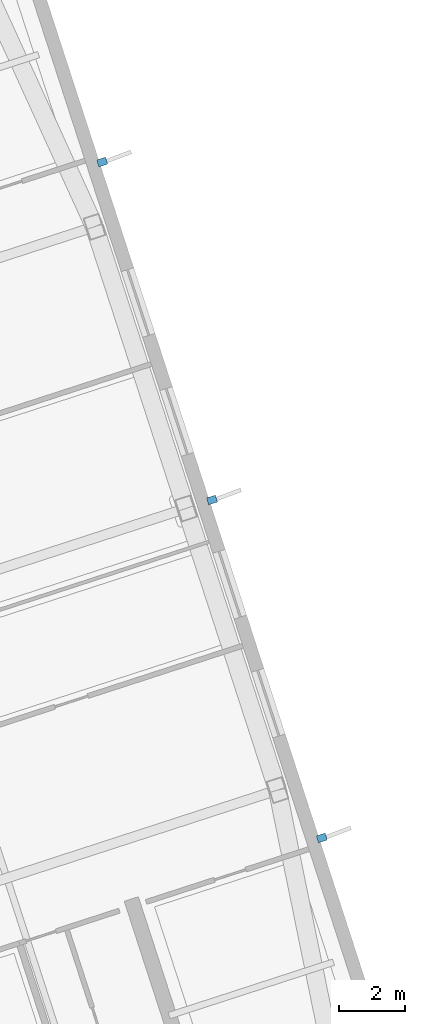
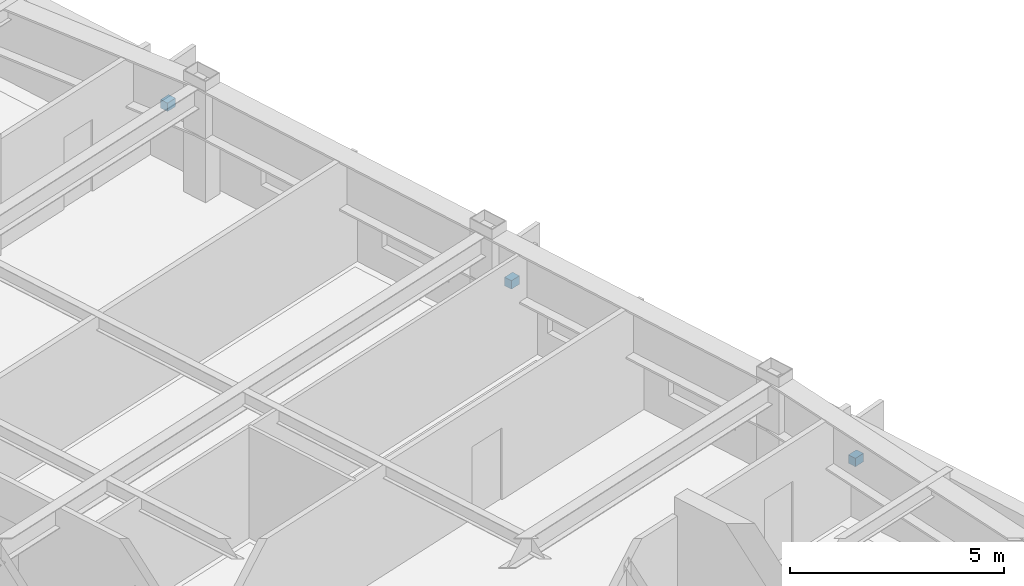
# One storey, part 13 of 19: 3 discrete accessories.
"""IFC4 building model written with IfcOpenShell, lengths in metres."""

from ifc_helpers import new_model, si_unit, direction, frame, origin, origin_2d, place, context, subcontext, project, spatial, rectangle, extrude, material, type_object, element, save


model = new_model("IFC4")

# Units and contexts
model_context = context("Model", 3, precision=1e-05, world=origin(), true_north=direction((0.0, 1.0)))
body_context = subcontext(model_context, "Body", "Model", "MODEL_VIEW")
ifc_project = project(units=[si_unit("LENGTHUNIT", "METRE"), si_unit("AREAUNIT", "SQUARE_METRE"), si_unit("VOLUMEUNIT", "CUBIC_METRE"), si_unit("PLANEANGLEUNIT", "RADIAN"), si_unit("MASSUNIT", "GRAM", prefix="KILO")], contexts=[model_context])

# Site, building, storey
site_placement = place(None, origin())
site = spatial("IfcSite", under=ifc_project, at=site_placement, CompositionType="ELEMENT")
building_placement = place(site_placement, origin())
building = spatial("IfcBuilding", under=site, at=building_placement, Name="Qiaolan Cultural Towers", CompositionType="ELEMENT")
storey_placement = place(building_placement, frame((0.0, 0.0, 216.199951171875)))
storey = spatial("IfcBuildingStorey", under=building, at=storey_placement, Name="L58", CompositionType="ELEMENT", Elevation=216.199951171875)

# Discrete accessories
ifc_material = material(Name="Stainless Steel S31608 Facade Anchor Bracket", Category="steel")
discrete_accessory_type = type_object("IfcDiscreteAccessoryType", Name="ACC-BRK-SS", PredefinedType="BRACKET", material=ifc_material)
for number, where, z_axis, x_axis, name in (
    (1, (106.91845703125, 28.141357421875, 1.1552734375), (0.0, 0.0, 1.0), (0.951056516295, 0.309016994375, 0.0), "L58 T2 Facade Fin Anchor Bracket E1"),
    (2, (103.5810546875, 38.412841796875, 1.1552734375), (0.0, 0.0, 1.0), (0.951056516295, 0.309016994375, 0.0), "L58 T2 Facade Fin Anchor Bracket E2"),
    (3, (100.24365234375, 48.68408203125, 1.1552734375), (0.0, 0.0, 1.0), (0.951056516295, 0.309016994375, 0.0), "L58 T2 Facade Fin Anchor Bracket E3"),
):
    element("IfcDiscreteAccessory", number, at=place(storey_placement, frame(where, z_axis=z_axis, x_axis=x_axis)), inside=storey, type_object=discrete_accessory_type, Name=name, PredefinedType="BRACKET", context=body_context, shape_type="SweptSolid", body=[
        extrude(rectangle(XDim=0.280029296875, YDim=0.219970703125, at=origin_2d()), origin(), (0.0, 0.0, 1.0), 0.239990234375),
    ])

save(model, "model.ifc")
